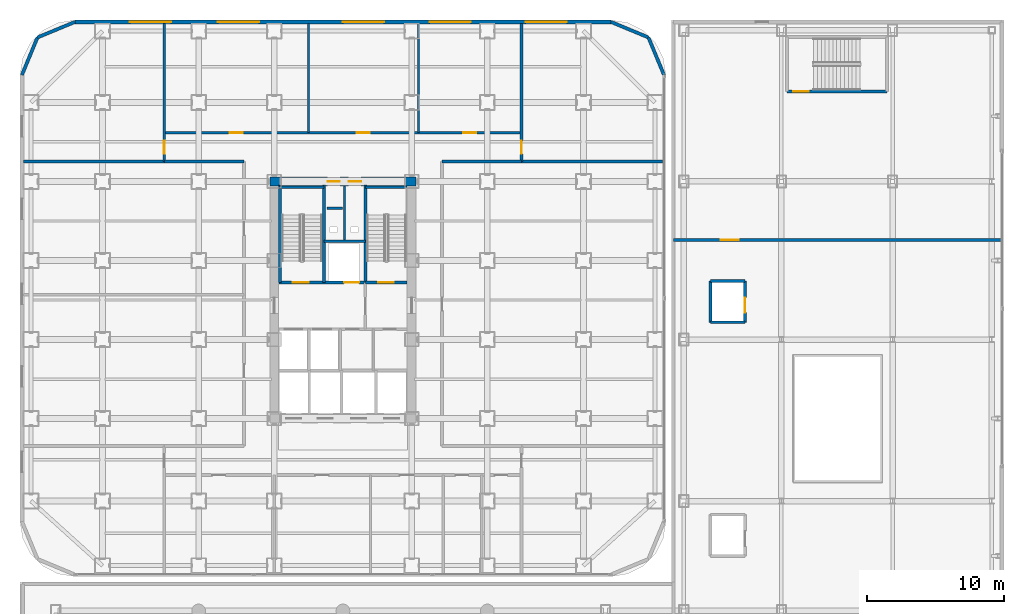
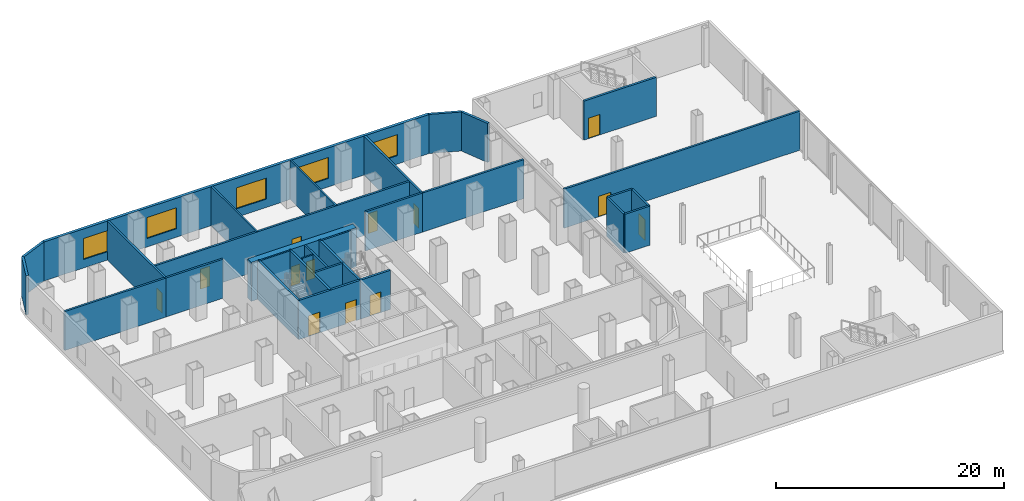
# One storey, part 21 of 27: 31 walls, 13 doors, 5 windows, 18 openings.
"""IFC4 building model written with IfcOpenShell, lengths in metres."""

from ifc_helpers import new_model, si_unit, direction, frame, frame_2d, origin, place, context, subcontext, project, spatial, rectangle, extrude, material, layer, layer_set, type_object, element, fill, save


model = new_model("IFC4")

# Units and contexts
model_context = context("Model", 3, precision=1e-05, world=origin(), true_north=direction((0.0, 1.0)))
body_context = subcontext(model_context, "Body", "Model", "MODEL_VIEW")
ifc_project = project(units=[si_unit("LENGTHUNIT", "METRE"), si_unit("AREAUNIT", "SQUARE_METRE"), si_unit("VOLUMEUNIT", "CUBIC_METRE"), si_unit("PLANEANGLEUNIT", "RADIAN"), si_unit("MASSUNIT", "GRAM", prefix="KILO")], contexts=[model_context])

# Site, building, storey
site_placement = place(None, origin())
site = spatial("IfcSite", under=ifc_project, at=site_placement, CompositionType="ELEMENT")
building_placement = place(site_placement, origin())
building = spatial("IfcBuilding", under=site, at=building_placement, Name="Kolveth Station Tower", CompositionType="ELEMENT")
storey_placement = place(building_placement, frame((0.0, 0.0, 13.5)))
storey = spatial("IfcBuildingStorey", under=building, at=storey_placement, Name="L03", CompositionType="ELEMENT", Elevation=13.5)

# Wall, openings, doors
ifc_material_1 = material(Name="Concrete C60/75", Category="concrete")
ifc_layer_1 = layer(ifc_material_1, 0.64990234375)
ifc_layer_set_1 = layer_set([ifc_layer_1], Name="Concrete C60/75")
wall_type_1 = type_object("IfcWallType", Name="Wall_CW-650", PredefinedType="SHEAR", material=ifc_layer_set_1)
wall_1_placement = place(storey_placement, frame((18.175048828125, 28.75, 0.0), z_axis=(0.0, 0.0, 1.0), x_axis=(1.0, 0.0, 0.0)))
wall_1 = element("IfcWall", 1, at=wall_1_placement, inside=storey, type_object=wall_type_1, Name="L03 Core RC Shear Wall N", PredefinedType="SHEAR", context=body_context, shape_type="SweptSolid", body=[
    extrude(rectangle(XDim=10.64990234375, YDim=0.64990234375, at=frame_2d((5.324951171875, 0.0))), origin(), (0.0, 0.0, 1.0), 4.179931640625),
])
opening_1_placement = place(wall_1_placement, frame((4.205078125, 0.0, 0.0)))
opening_1 = element("IfcOpeningElement", 2, at=opening_1_placement, cuts=wall_1, Name="Opening RD1", PredefinedType="OPENING", context=body_context, shape_type="SweptSolid", body=[
    extrude(rectangle(XDim=0.89990234375, YDim=2.050048828125, at=frame_2d((0.449951171875, 1.02490234375))), frame((0.0, 0.3349609375, 0.0), z_axis=(0.0, -1.0, 0.0), x_axis=(1.0, 0.0, 0.0)), (0.0, 0.0, 1.0), 0.669921875),
])
opening_2_placement = place(wall_1_placement, frame((5.7451171875, 0.0, 0.0)))
opening_2 = element("IfcOpeningElement", 3, at=opening_2_placement, cuts=wall_1, Name="Opening RD1", PredefinedType="OPENING", context=body_context, shape_type="SweptSolid", body=[
    extrude(rectangle(XDim=0.89990234375, YDim=2.050048828125, at=frame_2d((0.449951171875, 1.02490234375))), frame((0.0, 0.3349609375, 0.0), z_axis=(0.0, -1.0, 0.0), x_axis=(1.0, 0.0, 0.0)), (0.0, 0.0, 1.0), 0.669921875),
])
ifc_material_2 = material(Name="Fire-rated Steel S355 riser access leaf", Category="steel")
door_type_1 = type_object("IfcDoorType", Name="Door_RD1", OperationType="NOTDEFINED", PredefinedType="DOOR", material=ifc_material_2)
door_1_placement = place(opening_1_placement, origin())
door_1 = element("IfcDoor", 4, at=door_1_placement, inside=storey, type_object=door_type_1, Name="L03 Electrical Riser Access Door", OperationType="SINGLE_SWING_LEFT", OverallHeight=2.050048828125, OverallWidth=0.89990234375, PredefinedType="DOOR", context=body_context, shape_type="SweptSolid", body=[
    extrude(rectangle(XDim=0.89990234375, YDim=2.050048828125, at=frame_2d((0.449951171875, 1.02490234375))), frame((0.0, 0.02490234375, 0.0), z_axis=(0.0, -1.0, 0.0), x_axis=(1.0, 0.0, 0.0)), (0.0, 0.0, 1.0), 0.050048828125),
])
fill(opening_1, door_1)
door_2_placement = place(opening_2_placement, origin())
door_2 = element("IfcDoor", 5, at=door_2_placement, inside=storey, type_object=door_type_1, Name="L03 Smoke Duct Access Door", OperationType="SINGLE_SWING_LEFT", OverallHeight=2.050048828125, OverallWidth=0.89990234375, PredefinedType="DOOR", context=body_context, shape_type="SweptSolid", body=[
    extrude(rectangle(XDim=0.89990234375, YDim=2.050048828125, at=frame_2d((0.449951171875, 1.02490234375))), frame((0.0, 0.02490234375, 0.0), z_axis=(0.0, -1.0, 0.0), x_axis=(1.0, 0.0, 0.0)), (0.0, 0.0, 1.0), 0.050048828125),
])
fill(opening_2, door_2)

# Walls
ifc_material_3 = material(Name="Precast concrete C40/50", Category="concrete")
ifc_layer_2 = layer(ifc_material_3, 0.239990234375)
ifc_layer_set_2 = layer_set([ifc_layer_2], Name="Precast concrete C40/50")
wall_type_2 = type_object("IfcWallType", Name="Wall_EW-240", PredefinedType="SOLIDWALL", material=ifc_layer_set_2)
for number, where, z_axis, x_axis, name in (
    (6, (46.860107421875, 36.5, 0.0), (0.0, 0.0, 1.0), (-0.382689947836, 0.923876833688, 0.0), "L03 Podium Rounded Corner Wall 3"),
    (7, (45.7294921875, 39.2294921875, 0.0), (0.0, 0.0, 1.0), (-0.923876833688, 0.382689947836, 0.0), "L03 Podium Rounded Corner Wall 4"),
    (8, (4.0, 40.360107421875, 0.0), (0.0, 0.0, 1.0), (-0.923876833688, -0.382689947836, 0.0), "L03 Podium Rounded Corner Wall 5"),
    (9, (1.2705078125, 39.2294921875, 0.0), (0.0, 0.0, 1.0), (-0.382689947836, -0.923876833688, 0.0), "L03 Podium Rounded Corner Wall 6"),
):
    element("IfcWall", number, at=place(storey_placement, frame(where, z_axis=z_axis, x_axis=x_axis)), inside=storey, type_object=wall_type_2, Name=name, PredefinedType="SOLIDWALL", context=body_context, shape_type="SweptSolid", body=[
        extrude(rectangle(XDim=2.954345703125, YDim=0.239990234375, at=frame_2d((1.47705078125, 0.0))), origin(), (0.0, 0.0, 1.0), 4.179931640625),
    ])

# Wall, openings, windows
ifc_layer_3 = layer(ifc_material_3, 0.280029296875)
ifc_layer_set_3 = layer_set([ifc_layer_3], Name="Precast concrete C40/50")
wall_type_3 = type_object("IfcWallType", Name="Wall_EW-280", PredefinedType="SOLIDWALL", material=ifc_layer_set_3)
wall_2_placement = place(storey_placement, frame((4.0, 40.360107421875, 0.0), z_axis=(0.0, 0.0, 1.0), x_axis=(1.0, 0.0, 0.0)))
wall_2 = element("IfcWall", 10, at=wall_2_placement, inside=storey, type_object=wall_type_3, Name="L03 Tower Podium North Exterior Wall", PredefinedType="SOLIDWALL", context=body_context, shape_type="SweptSolid", body=[
    extrude(rectangle(XDim=39.0, YDim=0.280029296875, at=frame_2d((19.5, 0.0))), origin(), (0.0, 0.0, 1.0), 4.179931640625),
])
opening_3_placement = place(wall_2_placement, frame((4.0, 0.0, 0.89990234375)))
opening_3 = element("IfcOpeningElement", 11, at=opening_3_placement, cuts=wall_2, Name="Opening W5", PredefinedType="OPENING", context=body_context, shape_type="SweptSolid", body=[
    extrude(rectangle(XDim=3.0, YDim=2.25, at=frame_2d((1.5, 1.125))), frame((0.0, 0.14990234375, 0.0), z_axis=(0.0, -1.0, 0.0), x_axis=(1.0, 0.0, 0.0)), (0.0, 0.0, 1.0), 0.300048828125),
])
opening_4_placement = place(wall_2_placement, frame((10.39990234375, 0.0, 0.89990234375)))
opening_4 = element("IfcOpeningElement", 12, at=opening_4_placement, cuts=wall_2, Name="Opening W5", PredefinedType="OPENING", context=body_context, shape_type="SweptSolid", body=[
    extrude(rectangle(XDim=3.0, YDim=2.25, at=frame_2d((1.5, 1.125))), frame((0.0, 0.14990234375, 0.0), z_axis=(0.0, -1.0, 0.0), x_axis=(1.0, 0.0, 0.0)), (0.0, 0.0, 1.0), 0.300048828125),
])
opening_5_placement = place(wall_2_placement, frame((19.5, 0.0, 0.89990234375)))
opening_5 = element("IfcOpeningElement", 13, at=opening_5_placement, cuts=wall_2, Name="Opening W5", PredefinedType="OPENING", context=body_context, shape_type="SweptSolid", body=[
    extrude(rectangle(XDim=3.0, YDim=2.25, at=frame_2d((1.5, 1.125))), frame((0.0, 0.14990234375, 0.0), z_axis=(0.0, -1.0, 0.0), x_axis=(1.0, 0.0, 0.0)), (0.0, 0.0, 1.0), 0.300048828125),
])
opening_6_placement = place(wall_2_placement, frame((25.800048828125, 0.0, 0.89990234375)))
opening_6 = element("IfcOpeningElement", 14, at=opening_6_placement, cuts=wall_2, Name="Opening W5", PredefinedType="OPENING", context=body_context, shape_type="SweptSolid", body=[
    extrude(rectangle(XDim=3.0, YDim=2.25, at=frame_2d((1.5, 1.125))), frame((0.0, 0.14990234375, 0.0), z_axis=(0.0, -1.0, 0.0), x_axis=(1.0, 0.0, 0.0)), (0.0, 0.0, 1.0), 0.300048828125),
])
opening_7_placement = place(wall_2_placement, frame((32.800048828125, 0.0, 0.89990234375)))
opening_7 = element("IfcOpeningElement", 15, at=opening_7_placement, cuts=wall_2, Name="Opening W5", PredefinedType="OPENING", context=body_context, shape_type="SweptSolid", body=[
    extrude(rectangle(XDim=3.0, YDim=2.25, at=frame_2d((1.5, 1.125))), frame((0.0, 0.14990234375, 0.0), z_axis=(0.0, -1.0, 0.0), x_axis=(1.0, 0.0, 0.0)), (0.0, 0.0, 1.0), 0.300048828125),
])
ifc_material_4 = material(Name="Black anodized aluminium 6063-T6 and clear station glass", Category="aluminium")
window_type = type_object("IfcWindowType", Name="Win_W5", PartitioningType="SINGLE_PANEL", PredefinedType="WINDOW", material=ifc_material_4)
window_1_placement = place(opening_3_placement, origin())
window_1 = element("IfcWindow", 16, at=window_1_placement, inside=storey, type_object=window_type, Name="L03 Tower Podium North Window 1", OverallHeight=2.25, OverallWidth=3.0, PartitioningType="SINGLE_PANEL", PredefinedType="WINDOW", context=body_context, shape_type="SweptSolid", body=[
    extrude(rectangle(XDim=3.0, YDim=2.25, at=frame_2d((1.5, 1.125))), frame((0.0, 0.030029296875, 0.0), z_axis=(0.0, -1.0, 0.0), x_axis=(1.0, 0.0, 0.0)), (0.0, 0.0, 1.0), 0.06005859375),
])
fill(opening_3, window_1)
window_2_placement = place(opening_4_placement, origin())
window_2 = element("IfcWindow", 17, at=window_2_placement, inside=storey, type_object=window_type, Name="L03 Tower Podium North Window 2", OverallHeight=2.25, OverallWidth=3.0, PartitioningType="SINGLE_PANEL", PredefinedType="WINDOW", context=body_context, shape_type="SweptSolid", body=[
    extrude(rectangle(XDim=3.0, YDim=2.25, at=frame_2d((1.5, 1.125))), frame((0.0, 0.030029296875, 0.0), z_axis=(0.0, -1.0, 0.0), x_axis=(1.0, 0.0, 0.0)), (0.0, 0.0, 1.0), 0.06005859375),
])
fill(opening_4, window_2)
window_3_placement = place(opening_5_placement, origin())
window_3 = element("IfcWindow", 18, at=window_3_placement, inside=storey, type_object=window_type, Name="L03 Tower Podium North Window 3", OverallHeight=2.25, OverallWidth=3.0, PartitioningType="SINGLE_PANEL", PredefinedType="WINDOW", context=body_context, shape_type="SweptSolid", body=[
    extrude(rectangle(XDim=3.0, YDim=2.25, at=frame_2d((1.5, 1.125))), frame((0.0, 0.030029296875, 0.0), z_axis=(0.0, -1.0, 0.0), x_axis=(1.0, 0.0, 0.0)), (0.0, 0.0, 1.0), 0.06005859375),
])
fill(opening_5, window_3)
window_4_placement = place(opening_6_placement, origin())
window_4 = element("IfcWindow", 19, at=window_4_placement, inside=storey, type_object=window_type, Name="L03 Tower Podium North Window 4", OverallHeight=2.25, OverallWidth=3.0, PartitioningType="SINGLE_PANEL", PredefinedType="WINDOW", context=body_context, shape_type="SweptSolid", body=[
    extrude(rectangle(XDim=3.0, YDim=2.25, at=frame_2d((1.5, 1.125))), frame((0.0, 0.030029296875, 0.0), z_axis=(0.0, -1.0, 0.0), x_axis=(1.0, 0.0, 0.0)), (0.0, 0.0, 1.0), 0.06005859375),
])
fill(opening_6, window_4)
window_5_placement = place(opening_7_placement, origin())
window_5 = element("IfcWindow", 20, at=window_5_placement, inside=storey, type_object=window_type, Name="L03 Tower Podium North Window 5", OverallHeight=2.25, OverallWidth=3.0, PartitioningType="SINGLE_PANEL", PredefinedType="WINDOW", context=body_context, shape_type="SweptSolid", body=[
    extrude(rectangle(XDim=3.0, YDim=2.25, at=frame_2d((1.5, 1.125))), frame((0.0, 0.030029296875, 0.0), z_axis=(0.0, -1.0, 0.0), x_axis=(1.0, 0.0, 0.0)), (0.0, 0.0, 1.0), 0.06005859375),
])
fill(opening_7, window_5)

# Walls
ifc_material_5 = material(Name="Acoustic double-stud gypsum partition")
ifc_layer_4 = layer(ifc_material_5, 0.1650390625)
ifc_layer_set_4 = layer_set([ifc_layer_4], Name="Acoustic double-stud gypsum partition")
wall_type_4 = type_object("IfcWallType", Name="Wall_IW-165", PredefinedType="PARTITIONING", material=ifc_layer_set_4)
wall_3_placement = place(storey_placement, frame((18.8349609375, 28.3349609375, 0.0), z_axis=(0.0, 0.0, 1.0), x_axis=(1.0, 0.0, 0.0)))
element("IfcWall", 21, at=wall_3_placement, inside=storey, type_object=wall_type_4, Name="L03 Stair Shaft Wall WL-L03-ST1-N", PredefinedType="PARTITIONING", context=body_context, shape_type="SweptSolid", body=[
    extrude(rectangle(XDim=3.275146484375, YDim=0.1650390625, at=frame_2d((1.6376953125, 0.0))), origin(), (0.0, 0.0, 1.0), 4.179931640625),
])
wall_4_placement = place(storey_placement, frame((25.1298828125, 28.3349609375, 0.0), z_axis=(0.0, 0.0, 1.0), x_axis=(1.0, 0.0, 0.0)))
element("IfcWall", 22, at=wall_4_placement, inside=storey, type_object=wall_type_4, Name="L03 Stair Shaft Wall WL-L03-ST2-N", PredefinedType="PARTITIONING", context=body_context, shape_type="SweptSolid", body=[
    extrude(rectangle(XDim=3.03515625, YDim=0.1650390625, at=frame_2d((1.517578125, 0.0))), origin(), (0.0, 0.0, 1.0), 4.179931640625),
])
wall_5_placement = place(storey_placement, frame((23.6201171875, 24.39990234375, 0.0), z_axis=(0.0, 0.0, 1.0), x_axis=(0.0, 1.0, 0.0)))
element("IfcWall", 23, at=wall_5_placement, inside=storey, type_object=wall_type_4, Name="L03 Partition Wall WL-L03-RSR-M", PredefinedType="PARTITIONING", context=body_context, shape_type="SweptSolid", body=[
    extrude(rectangle(XDim=4.01513671875, YDim=0.1650390625, at=frame_2d((2.007568359375, 0.0))), origin(), (0.0, 0.0, 1.0), 4.179931640625),
])
for number, where, z_axis, x_axis, name in (
    (24, (21.0, 32.300048828125, 0.0), (0.0, 0.0, 1.0), (0.0, 1.0, 0.0), "L03 Partition Wall WL-L03-TPN-P1"),
    (25, (29.0, 32.300048828125, 0.0), (0.0, 0.0, 1.0), (0.0, 1.0, 0.0), "L03 Partition Wall WL-L03-TPN-P2"),
):
    element("IfcWall", number, at=place(storey_placement, frame(where, z_axis=z_axis, x_axis=x_axis)), inside=storey, type_object=wall_type_4, Name=name, PredefinedType="PARTITIONING", context=body_context, shape_type="SweptSolid", body=[
        extrude(rectangle(XDim=7.949951171875, YDim=0.1650390625, at=frame_2d((3.97509765625, 0.0))), origin(), (0.0, 0.0, 1.0), 4.179931640625),
    ])
wall_6_placement = place(storey_placement, frame((22.35009765625, 26.800048828125, 0.0), z_axis=(0.0, 0.0, 1.0), x_axis=(1.0, 0.0, 0.0)))
element("IfcWall", 26, at=wall_6_placement, inside=storey, type_object=wall_type_4, Name="L03 Acoustic Riser Dry-Lining Wall", PredefinedType="PARTITIONING", context=body_context, shape_type="SweptSolid", body=[
    extrude(rectangle(XDim=1.099853515625, YDim=0.1650390625, at=frame_2d((0.5498046875, 0.0))), origin(), (0.0, 0.0, 1.0), 4.179931640625),
])
ifc_material_6 = material(Name="Acoustic fire-rated gypsum blockwork", Category="masonry")
ifc_layer_5 = layer(ifc_material_6, 0.199951171875)
ifc_layer_set_5 = layer_set([ifc_layer_5], Name="Acoustic fire-rated gypsum blockwork")
wall_type_5 = type_object("IfcWallType", Name="Wall_IW-200", PredefinedType="PARTITIONING", material=ifc_layer_set_5)
wall_7_placement = place(storey_placement, frame((22.110107421875, 24.39990234375, 0.0), z_axis=(0.0, 0.0, 1.0), x_axis=(1.0, 0.0, 0.0)))
element("IfcWall", 27, at=wall_7_placement, inside=storey, type_object=wall_type_5, Name="L03 Partition Wall WL-L03-RSR-S", PredefinedType="PARTITIONING", context=body_context, shape_type="SweptSolid", body=[
    extrude(rectangle(XDim=3.019775390625, YDim=0.199951171875, at=frame_2d((1.509765625, 0.0))), origin(), (0.0, 0.0, 1.0), 4.179931640625),
])

# Wall, openings, doors
wall_8_placement = place(storey_placement, frame((10.5, 32.300048828125, 0.0), z_axis=(0.0, 0.0, 1.0), x_axis=(1.0, 0.0, 0.0)))
wall_8 = element("IfcWall", 28, at=wall_8_placement, inside=storey, type_object=wall_type_5, Name="L03 Partition Wall WL-L03-BN", PredefinedType="PARTITIONING", context=body_context, shape_type="SweptSolid", body=[
    extrude(rectangle(XDim=26.0, YDim=0.199951171875, at=frame_2d((13.0, 0.0))), origin(), (0.0, 0.0, 1.0), 4.179931640625),
])
opening_8_placement = place(wall_8_placement, frame((4.75, 0.0, 0.0)))
opening_8 = element("IfcOpeningElement", 29, at=opening_8_placement, cuts=wall_8, Name="Opening ID1", PredefinedType="OPENING", context=body_context, shape_type="SweptSolid", body=[
    extrude(rectangle(XDim=0.949951171875, YDim=2.14990234375, at=frame_2d((0.47509765625, 1.074951171875))), frame((0.0, 0.10986328125, 0.0), z_axis=(0.0, -1.0, 0.0), x_axis=(1.0, 0.0, 0.0)), (0.0, 0.0, 1.0), 0.219970703125),
])
opening_9_placement = place(wall_8_placement, frame((14.0, 0.0, 0.0)))
opening_9 = element("IfcOpeningElement", 30, at=opening_9_placement, cuts=wall_8, Name="Opening ID1", PredefinedType="OPENING", context=body_context, shape_type="SweptSolid", body=[
    extrude(rectangle(XDim=0.949951171875, YDim=2.14990234375, at=frame_2d((0.47509765625, 1.074951171875))), frame((0.0, 0.10986328125, 0.0), z_axis=(0.0, -1.0, 0.0), x_axis=(1.0, 0.0, 0.0)), (0.0, 0.0, 1.0), 0.219970703125),
])
opening_10_placement = place(wall_8_placement, frame((21.75, 0.0, 0.0)))
opening_10 = element("IfcOpeningElement", 31, at=opening_10_placement, cuts=wall_8, Name="Opening ID1", PredefinedType="OPENING", context=body_context, shape_type="SweptSolid", body=[
    extrude(rectangle(XDim=0.949951171875, YDim=2.14990234375, at=frame_2d((0.47509765625, 1.074951171875))), frame((0.0, 0.10986328125, 0.0), z_axis=(0.0, -1.0, 0.0), x_axis=(1.0, 0.0, 0.0)), (0.0, 0.0, 1.0), 0.219970703125),
])
ifc_material_7 = material(Name="Acoustic hardwood leaf and aluminium frame", Category="wood")
door_type_2 = type_object("IfcDoorType", Name="Door_ID1", OperationType="NOTDEFINED", PredefinedType="DOOR", material=ifc_material_7)
door_3_placement = place(opening_8_placement, origin())
door_3 = element("IfcDoor", 32, at=door_3_placement, inside=storey, type_object=door_type_2, Name="L03 Quiet Study 1 Door", OperationType="SINGLE_SWING_LEFT", OverallHeight=2.14990234375, OverallWidth=0.949951171875, PredefinedType="DOOR", context=body_context, shape_type="SweptSolid", body=[
    extrude(rectangle(XDim=0.949951171875, YDim=2.14990234375, at=frame_2d((0.47509765625, 1.074951171875))), frame((0.0, 0.02490234375, 0.0), z_axis=(0.0, -1.0, 0.0), x_axis=(1.0, 0.0, 0.0)), (0.0, 0.0, 1.0), 0.050048828125),
])
fill(opening_8, door_3)
door_4_placement = place(opening_9_placement, origin())
door_4 = element("IfcDoor", 33, at=door_4_placement, inside=storey, type_object=door_type_2, Name="L03 Quiet Study 2 Door", OperationType="SINGLE_SWING_RIGHT", OverallHeight=2.14990234375, OverallWidth=0.949951171875, PredefinedType="DOOR", context=body_context, shape_type="SweptSolid", body=[
    extrude(rectangle(XDim=0.949951171875, YDim=2.14990234375, at=frame_2d((0.47509765625, 1.074951171875))), frame((0.0, 0.02490234375, 0.0), z_axis=(0.0, -1.0, 0.0), x_axis=(1.0, 0.0, 0.0)), (0.0, 0.0, 1.0), 0.050048828125),
])
fill(opening_9, door_4)
door_5_placement = place(opening_10_placement, origin())
door_5 = element("IfcDoor", 34, at=door_5_placement, inside=storey, type_object=door_type_2, Name="L03 Executive Boardroom Door", OperationType="SINGLE_SWING_LEFT", OverallHeight=2.14990234375, OverallWidth=0.949951171875, PredefinedType="DOOR", context=body_context, shape_type="SweptSolid", body=[
    extrude(rectangle(XDim=0.949951171875, YDim=2.14990234375, at=frame_2d((0.47509765625, 1.074951171875))), frame((0.0, 0.02490234375, 0.0), z_axis=(0.0, -1.0, 0.0), x_axis=(1.0, 0.0, 0.0)), (0.0, 0.0, 1.0), 0.050048828125),
])
fill(opening_10, door_5)

# Walls
for number, where, z_axis, x_axis, name in (
    (35, (10.5, 30.199951171875, 0.0), (0.0, 0.0, 1.0), (1.0, 0.0, 0.0), "L03 Partition Wall WL-L03-BNWB"),
    (36, (30.699951171875, 30.199951171875, 0.0), (0.0, 0.0, 1.0), (1.0, 0.0, 0.0), "L03 Partition Wall WL-L03-BNEB"),
):
    element("IfcWall", number, at=place(storey_placement, frame(where, z_axis=z_axis, x_axis=x_axis)), inside=storey, type_object=wall_type_5, Name=name, PredefinedType="PARTITIONING", context=body_context, shape_type="SweptSolid", body=[
        extrude(rectangle(XDim=5.800048828125, YDim=0.199951171875, at=frame_2d((2.89990234375, 0.0))), origin(), (0.0, 0.0, 1.0), 4.179931640625),
    ])

# Wall, opening, door
wall_9_placement = place(storey_placement, frame((10.5, 30.199951171875, 0.0), z_axis=(0.0, 0.0, 1.0), x_axis=(0.0, 1.0, 0.0)))
wall_9 = element("IfcWall", 37, at=wall_9_placement, inside=storey, type_object=wall_type_5, Name="L03 Partition Wall WL-L03-BWN", PredefinedType="PARTITIONING", context=body_context, shape_type="SweptSolid", body=[
    extrude(rectangle(XDim=10.050048828125, YDim=0.199951171875, at=frame_2d((5.02490234375, 0.0))), origin(), (0.0, 0.0, 1.0), 4.179931640625),
])
opening_11_placement = place(wall_9_placement, frame((0.550048828125, 0.0, 0.0)))
opening_11 = element("IfcOpeningElement", 38, at=opening_11_placement, cuts=wall_9, Name="Opening ID1", PredefinedType="OPENING", context=body_context, shape_type="SweptSolid", body=[
    extrude(rectangle(XDim=0.949951171875, YDim=2.14990234375, at=frame_2d((0.47509765625, 1.074951171875))), frame((0.0, 0.10986328125, 0.0), z_axis=(0.0, -1.0, 0.0), x_axis=(1.0, 0.0, 0.0)), (0.0, 0.0, 1.0), 0.219970703125),
])
door_6_placement = place(opening_11_placement, frame((0.949951171875, 0.0, 0.0), z_axis=(0.0, 0.0, 1.0), x_axis=(-1.0, 0.0, 0.0)))
door_6 = element("IfcDoor", 39, at=door_6_placement, inside=storey, type_object=door_type_2, Name="L03 Podium Clinic Office CNW Door", OperationType="SINGLE_SWING_LEFT", OverallHeight=2.14990234375, OverallWidth=0.949951171875, PredefinedType="DOOR", context=body_context, shape_type="SweptSolid", body=[
    extrude(rectangle(XDim=0.949951171875, YDim=2.14990234375, at=frame_2d((0.47509765625, 1.074951171875))), frame((0.0, 0.02490234375, 0.0), z_axis=(0.0, -1.0, 0.0), x_axis=(1.0, 0.0, 0.0)), (0.0, 0.0, 1.0), 0.050048828125),
])
fill(opening_11, door_6)

wall_10_placement = place(storey_placement, frame((36.5, 30.199951171875, 0.0), z_axis=(0.0, 0.0, 1.0), x_axis=(0.0, 1.0, 0.0)))
wall_10 = element("IfcWall", 40, at=wall_10_placement, inside=storey, type_object=wall_type_5, Name="L03 Partition Wall WL-L03-BEN", PredefinedType="PARTITIONING", context=body_context, shape_type="SweptSolid", body=[
    extrude(rectangle(XDim=10.050048828125, YDim=0.199951171875, at=frame_2d((5.02490234375, 0.0))), origin(), (0.0, 0.0, 1.0), 4.179931640625),
])
opening_12_placement = place(wall_10_placement, frame((0.550048828125, 0.0, 0.0)))
opening_12 = element("IfcOpeningElement", 41, at=opening_12_placement, cuts=wall_10, Name="Opening ID1", PredefinedType="OPENING", context=body_context, shape_type="SweptSolid", body=[
    extrude(rectangle(XDim=0.949951171875, YDim=2.14990234375, at=frame_2d((0.47509765625, 1.074951171875))), frame((0.0, 0.10986328125, 0.0), z_axis=(0.0, -1.0, 0.0), x_axis=(1.0, 0.0, 0.0)), (0.0, 0.0, 1.0), 0.219970703125),
])
door_7_placement = place(opening_12_placement, origin())
door_7 = element("IfcDoor", 42, at=door_7_placement, inside=storey, type_object=door_type_2, Name="L03 Podium Clinic Office CNE Door", OperationType="SINGLE_SWING_LEFT", OverallHeight=2.14990234375, OverallWidth=0.949951171875, PredefinedType="DOOR", context=body_context, shape_type="SweptSolid", body=[
    extrude(rectangle(XDim=0.949951171875, YDim=2.14990234375, at=frame_2d((0.47509765625, 1.074951171875))), frame((0.0, 0.02490234375, 0.0), z_axis=(0.0, -1.0, 0.0), x_axis=(1.0, 0.0, 0.0)), (0.0, 0.0, 1.0), 0.050048828125),
])
fill(opening_12, door_7)

# Walls
for number, where, z_axis, x_axis, name in (
    (43, (0.25, 30.199951171875, 0.0), (0.0, 0.0, 1.0), (1.0, 0.0, 0.0), "L03 Partition Wall WL-L03-BWM2"),
    (44, (36.5, 30.199951171875, 0.0), (0.0, 0.0, 1.0), (1.0, 0.0, 0.0), "L03 Partition Wall WL-L03-BEM2"),
):
    element("IfcWall", number, at=place(storey_placement, frame(where, z_axis=z_axis, x_axis=x_axis)), inside=storey, type_object=wall_type_5, Name=name, PredefinedType="PARTITIONING", context=body_context, shape_type="SweptSolid", body=[
        extrude(rectangle(XDim=10.25, YDim=0.199951171875, at=frame_2d((5.125, 0.0))), origin(), (0.0, 0.0, 1.0), 4.179931640625),
    ])
for number, where, z_axis, x_axis, name in (
    (45, (50.25, 18.5, 0.0), (0.0, 0.0, 1.0), (1.0, 0.0, 0.0), "L03 Partition Wall WL-L03-SL2-S"),
    (46, (50.25, 21.5, 0.0), (0.0, 0.0, 1.0), (1.0, 0.0, 0.0), "L03 Partition Wall WL-L03-SL2-N"),
):
    element("IfcWall", number, at=place(storey_placement, frame(where, z_axis=z_axis, x_axis=x_axis)), inside=storey, type_object=wall_type_5, Name=name, PredefinedType="PARTITIONING", context=body_context, shape_type="SweptSolid", body=[
        extrude(rectangle(XDim=2.5, YDim=0.199951171875, at=frame_2d((1.25, 0.0))), origin(), (0.0, 0.0, 1.0), 4.179931640625),
    ])
wall_11_placement = place(storey_placement, frame((50.25, 18.5, 0.0), z_axis=(0.0, 0.0, 1.0), x_axis=(0.0, 1.0, 0.0)))
element("IfcWall", 47, at=wall_11_placement, inside=storey, type_object=wall_type_5, Name="L03 Partition Wall WL-L03-SL2-W", PredefinedType="PARTITIONING", context=body_context, shape_type="SweptSolid", body=[
    extrude(rectangle(XDim=3.0, YDim=0.199951171875, at=frame_2d((1.5, 0.0))), origin(), (0.0, 0.0, 1.0), 4.179931640625),
])

# Wall, opening, door
wall_12_placement = place(storey_placement, frame((52.75, 18.5, 0.0), z_axis=(0.0, 0.0, 1.0), x_axis=(0.0, 1.0, 0.0)))
wall_12 = element("IfcWall", 48, at=wall_12_placement, inside=storey, type_object=wall_type_5, Name="L03 Partition Wall WL-L03-SL2-E", PredefinedType="PARTITIONING", context=body_context, shape_type="SweptSolid", body=[
    extrude(rectangle(XDim=3.0, YDim=0.199951171875, at=frame_2d((1.5, 0.0))), origin(), (0.0, 0.0, 1.0), 4.179931640625),
])
opening_13_placement = place(wall_12_placement, frame((0.699951171875, 0.0, 0.0)))
opening_13 = element("IfcOpeningElement", 49, at=opening_13_placement, cuts=wall_12, Name="Opening LD1", PredefinedType="OPENING", context=body_context, shape_type="SweptSolid", body=[
    extrude(rectangle(XDim=1.10009765625, YDim=2.25, at=frame_2d((0.550048828125, 1.125))), frame((0.0, 0.10986328125, 0.0), z_axis=(0.0, -1.0, 0.0), x_axis=(1.0, 0.0, 0.0)), (0.0, 0.0, 1.0), 0.219970703125),
])
ifc_material_8 = material(Name="Brushed stainless steel sliding landing doors", Category="steel")
door_type_3 = type_object("IfcDoorType", Name="Door_LD1", OperationType="NOTDEFINED", PredefinedType="DOOR", material=ifc_material_8)
door_8_placement = place(opening_13_placement, origin())
door_8 = element("IfcDoor", 50, at=door_8_placement, inside=storey, type_object=door_type_3, Name="L03 Station Lift SL2 Landing Door", OperationType="DOUBLE_DOOR_SLIDING", OverallHeight=2.25, OverallWidth=1.10009765625, PredefinedType="DOOR", context=body_context, shape_type="SweptSolid", body=[
    extrude(rectangle(XDim=1.10009765625, YDim=2.25, at=frame_2d((0.550048828125, 1.125))), frame((0.0, 0.02490234375, 0.0), z_axis=(0.0, -1.0, 0.0), x_axis=(1.0, 0.0, 0.0)), (0.0, 0.0, 1.0), 0.050048828125),
])
fill(opening_13, door_8)

wall_13_placement = place(storey_placement, frame((47.550048828125, 24.5, 0.0), z_axis=(0.0, 0.0, 1.0), x_axis=(1.0, 0.0, 0.0)))
wall_13 = element("IfcWall", 51, at=wall_13_placement, inside=storey, type_object=wall_type_5, Name="L03 Partition Wall WL-L03-STN-DIV", PredefinedType="PARTITIONING", context=body_context, shape_type="SweptSolid", body=[
    extrude(rectangle(XDim=23.89990234375, YDim=0.199951171875, at=frame_2d((11.949951171875, 0.0))), origin(), (0.0, 0.0, 1.0), 4.179931640625),
])
opening_14_placement = place(wall_13_placement, frame((3.449951171875, 0.0, 0.0)))
opening_14 = element("IfcOpeningElement", 52, at=opening_14_placement, cuts=wall_13, Name="Opening ID3", PredefinedType="OPENING", context=body_context, shape_type="SweptSolid", body=[
    extrude(rectangle(XDim=1.300048828125, YDim=2.199951171875, at=frame_2d((0.64990234375, 1.10009765625))), frame((0.0, 0.10986328125, 0.0), z_axis=(0.0, -1.0, 0.0), x_axis=(1.0, 0.0, 0.0)), (0.0, 0.0, 1.0), 0.219970703125),
])
ifc_material_9 = material(Name="Glazed acoustic office double leaf")
door_type_4 = type_object("IfcDoorType", Name="Door_ID3", OperationType="NOTDEFINED", PredefinedType="DOOR", material=ifc_material_9)
door_9_placement = place(opening_14_placement, origin())
door_9 = element("IfcDoor", 53, at=door_9_placement, inside=storey, type_object=door_type_4, Name="L03 Station Concourse Gate", OperationType="DOUBLE_DOOR_SINGLE_SWING", OverallHeight=2.199951171875, OverallWidth=1.300048828125, PredefinedType="DOOR", context=body_context, shape_type="SweptSolid", body=[
    extrude(rectangle(XDim=1.300048828125, YDim=2.199951171875, at=frame_2d((0.64990234375, 1.10009765625))), frame((0.0, 0.02490234375, 0.0), z_axis=(0.0, -1.0, 0.0), x_axis=(1.0, 0.0, 0.0)), (0.0, 0.0, 1.0), 0.050048828125),
])
fill(opening_14, door_9)

# Walls
ifc_material_10 = material(Name="Concrete C40/50", Category="concrete")
ifc_layer_6 = layer(ifc_material_10, 0.219970703125)
ifc_layer_set_6 = layer_set([ifc_layer_6], Name="Concrete C40/50")
wall_type_6 = type_object("IfcWallType", Name="Wall_IW-220", PredefinedType="SOLIDWALL", material=ifc_layer_set_6)
for number, where, z_axis, x_axis, name in (
    (54, (18.929931640625, 21.389892578125, 0.0), (0.0, 0.0, 1.0), (0.0, 1.0, 0.0), "L03 Stair Shaft Wall WL-L03-ST1-W"),
    (55, (22.110107421875, 21.389892578125, 0.0), (0.0, 0.0, 1.0), (0.0, 1.0, 0.0), "L03 Stair Shaft Wall WL-L03-ST1-E"),
    (56, (25.1298828125, 21.389892578125, 0.0), (0.0, 0.0, 1.0), (0.0, 1.0, 0.0), "L03 Stair Shaft Wall WL-L03-ST2-W"),
):
    element("IfcWall", number, at=place(storey_placement, frame(where, z_axis=z_axis, x_axis=x_axis)), inside=storey, type_object=wall_type_6, Name=name, PredefinedType="SOLIDWALL", context=body_context, shape_type="SweptSolid", body=[
        extrude(rectangle(XDim=7.110107421875, YDim=0.219970703125, at=frame_2d((3.55517578125, 0.0))), origin(), (0.0, 0.0, 1.0), 4.179931640625),
    ])

# Wall, openings, doors
wall_14_placement = place(storey_placement, frame((18.8349609375, 21.389892578125, 0.0), z_axis=(0.0, 0.0, 1.0), x_axis=(1.0, 0.0, 0.0)))
wall_14 = element("IfcWall", 57, at=wall_14_placement, inside=storey, type_object=wall_type_6, Name="L03 Stair Shaft Wall WL-L03-ST1-S", PredefinedType="SOLIDWALL", context=body_context, shape_type="SweptSolid", body=[
    extrude(rectangle(XDim=6.294921875, YDim=0.219970703125, at=frame_2d((3.1474609375, 0.0))), origin(), (0.0, 0.0, 1.0), 4.179931640625),
])
opening_15_placement = place(wall_14_placement, frame((1.014892578125, 0.0, 0.0)))
opening_15 = element("IfcOpeningElement", 58, at=opening_15_placement, cuts=wall_14, Name="Opening FD1", PredefinedType="OPENING", context=body_context, shape_type="SweptSolid", body=[
    extrude(rectangle(XDim=1.14990234375, YDim=2.199951171875, at=frame_2d((0.574951171875, 1.10009765625))), frame((0.0, 0.119873046875, 0.0), z_axis=(0.0, -1.0, 0.0), x_axis=(1.0, 0.0, 0.0)), (0.0, 0.0, 1.0), 0.239990234375),
])
opening_16_placement = place(wall_14_placement, frame((4.7451171875, 0.0, 0.0)))
opening_16 = element("IfcOpeningElement", 59, at=opening_16_placement, cuts=wall_14, Name="Opening LD1", PredefinedType="OPENING", context=body_context, shape_type="SweptSolid", body=[
    extrude(rectangle(XDim=1.10009765625, YDim=2.25, at=frame_2d((0.550048828125, 1.125))), frame((0.0, 0.119873046875, 0.0), z_axis=(0.0, -1.0, 0.0), x_axis=(1.0, 0.0, 0.0)), (0.0, 0.0, 1.0), 0.239990234375),
])
ifc_material_11 = material(Name="Fire-rated Steel S355 leaf and frame", Category="steel")
door_type_5 = type_object("IfcDoorType", Name="Door_FD1", OperationType="NOTDEFINED", PredefinedType="DOOR", material=ifc_material_11)
door_10_placement = place(opening_15_placement, frame((1.14990234375, 0.0, 0.0), z_axis=(0.0, 0.0, 1.0), x_axis=(-1.0, 0.0, 0.0)))
door_10 = element("IfcDoor", 60, at=door_10_placement, inside=storey, type_object=door_type_5, Name="L03 Stair ST1 Fire Door", OperationType="SINGLE_SWING_LEFT", OverallHeight=2.199951171875, OverallWidth=1.14990234375, PredefinedType="DOOR", context=body_context, shape_type="SweptSolid", body=[
    extrude(rectangle(XDim=1.14990234375, YDim=2.199951171875, at=frame_2d((0.574951171875, 1.10009765625))), frame((0.0, 0.02490234375, 0.0), z_axis=(0.0, -1.0, 0.0), x_axis=(1.0, 0.0, 0.0)), (0.0, 0.0, 1.0), 0.050048828125),
])
fill(opening_15, door_10)
door_11_placement = place(opening_16_placement, frame((1.10009765625, 0.0, 0.0), z_axis=(0.0, 0.0, 1.0), x_axis=(-1.0, 0.0, 0.0)))
door_11 = element("IfcDoor", 61, at=door_11_placement, inside=storey, type_object=door_type_3, Name="L03 Service Lift SV1 Landing Door", OperationType="DOUBLE_DOOR_SLIDING", OverallHeight=2.25, OverallWidth=1.10009765625, PredefinedType="DOOR", context=body_context, shape_type="SweptSolid", body=[
    extrude(rectangle(XDim=1.10009765625, YDim=2.25, at=frame_2d((0.550048828125, 1.125))), frame((0.0, 0.02490234375, 0.0), z_axis=(0.0, -1.0, 0.0), x_axis=(1.0, 0.0, 0.0)), (0.0, 0.0, 1.0), 0.050048828125),
])
fill(opening_16, door_11)

# Wall, opening, door
wall_15_placement = place(storey_placement, frame((25.1298828125, 21.389892578125, 0.0), z_axis=(0.0, 0.0, 1.0), x_axis=(1.0, 0.0, 0.0)))
wall_15 = element("IfcWall", 62, at=wall_15_placement, inside=storey, type_object=wall_type_6, Name="L03 Stair Shaft Wall WL-L03-ST2-S", PredefinedType="SOLIDWALL", context=body_context, shape_type="SweptSolid", body=[
    extrude(rectangle(XDim=3.03515625, YDim=0.219970703125, at=frame_2d((1.517578125, 0.0))), origin(), (0.0, 0.0, 1.0), 4.179931640625),
])
opening_17_placement = place(wall_15_placement, frame((0.919921875, 0.0, 0.0)))
opening_17 = element("IfcOpeningElement", 63, at=opening_17_placement, cuts=wall_15, Name="Opening FD1", PredefinedType="OPENING", context=body_context, shape_type="SweptSolid", body=[
    extrude(rectangle(XDim=1.14990234375, YDim=2.199951171875, at=frame_2d((0.574951171875, 1.10009765625))), frame((0.0, 0.119873046875, 0.0), z_axis=(0.0, -1.0, 0.0), x_axis=(1.0, 0.0, 0.0)), (0.0, 0.0, 1.0), 0.239990234375),
])
door_12_placement = place(opening_17_placement, frame((1.14990234375, 0.0, 0.0), z_axis=(0.0, 0.0, 1.0), x_axis=(-1.0, 0.0, 0.0)))
door_12 = element("IfcDoor", 64, at=door_12_placement, inside=storey, type_object=door_type_5, Name="L03 Stair ST2 Fire Door", OperationType="SINGLE_SWING_RIGHT", OverallHeight=2.199951171875, OverallWidth=1.14990234375, PredefinedType="DOOR", context=body_context, shape_type="SweptSolid", body=[
    extrude(rectangle(XDim=1.14990234375, YDim=2.199951171875, at=frame_2d((0.574951171875, 1.10009765625))), frame((0.0, 0.02490234375, 0.0), z_axis=(0.0, -1.0, 0.0), x_axis=(1.0, 0.0, 0.0)), (0.0, 0.0, 1.0), 0.050048828125),
])
fill(opening_17, door_12)

wall_16_placement = place(storey_placement, frame((55.800048828125, 35.300048828125, 0.0), z_axis=(0.0, 0.0, 1.0), x_axis=(1.0, 0.0, 0.0)))
wall_16 = element("IfcWall", 65, at=wall_16_placement, inside=storey, type_object=wall_type_6, Name="L03 Stair Shaft Wall WL-L03-ST3-S", PredefinedType="SOLIDWALL", context=body_context, shape_type="SweptSolid", body=[
    extrude(rectangle(XDim=7.300048828125, YDim=0.219970703125, at=frame_2d((3.64990234375, 0.0))), origin(), (0.0, 0.0, 1.0), 4.179931640625),
])
opening_18_placement = place(wall_16_placement, frame((0.449951171875, 0.0, 0.0)))
opening_18 = element("IfcOpeningElement", 66, at=opening_18_placement, cuts=wall_16, Name="Opening FD1", PredefinedType="OPENING", context=body_context, shape_type="SweptSolid", body=[
    extrude(rectangle(XDim=1.14990234375, YDim=2.199951171875, at=frame_2d((0.574951171875, 1.10009765625))), frame((0.0, 0.119873046875, 0.0), z_axis=(0.0, -1.0, 0.0), x_axis=(1.0, 0.0, 0.0)), (0.0, 0.0, 1.0), 0.239990234375),
])
door_13_placement = place(opening_18_placement, frame((1.14990234375, 0.0, 0.0), z_axis=(0.0, 0.0, 1.0), x_axis=(-1.0, 0.0, 0.0)))
door_13 = element("IfcDoor", 67, at=door_13_placement, inside=storey, type_object=door_type_5, Name="L03 Station Stair ST3 Door", OperationType="SINGLE_SWING_LEFT", OverallHeight=2.199951171875, OverallWidth=1.14990234375, PredefinedType="DOOR", context=body_context, shape_type="SweptSolid", body=[
    extrude(rectangle(XDim=1.14990234375, YDim=2.199951171875, at=frame_2d((0.574951171875, 1.10009765625))), frame((0.0, 0.02490234375, 0.0), z_axis=(0.0, -1.0, 0.0), x_axis=(1.0, 0.0, 0.0)), (0.0, 0.0, 1.0), 0.050048828125),
])
fill(opening_18, door_13)

save(model, "model.ifc")
